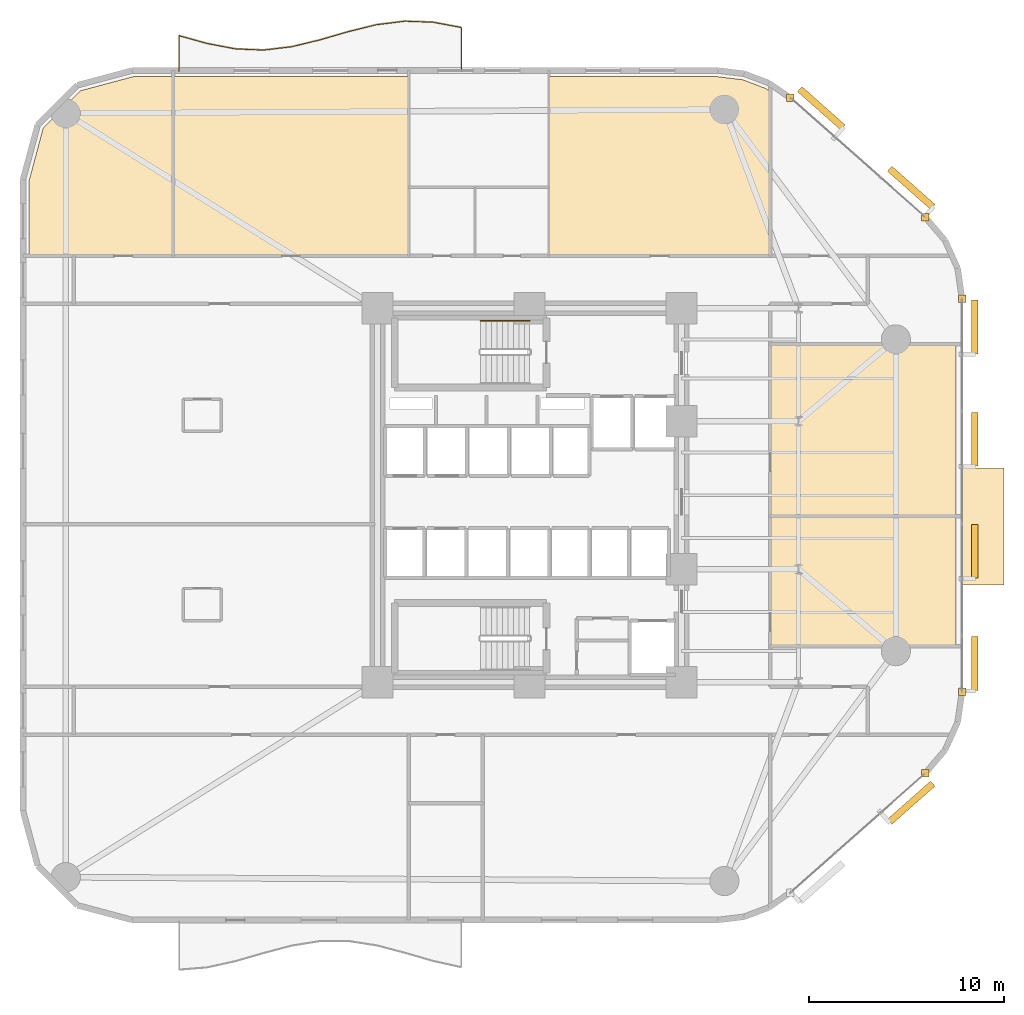
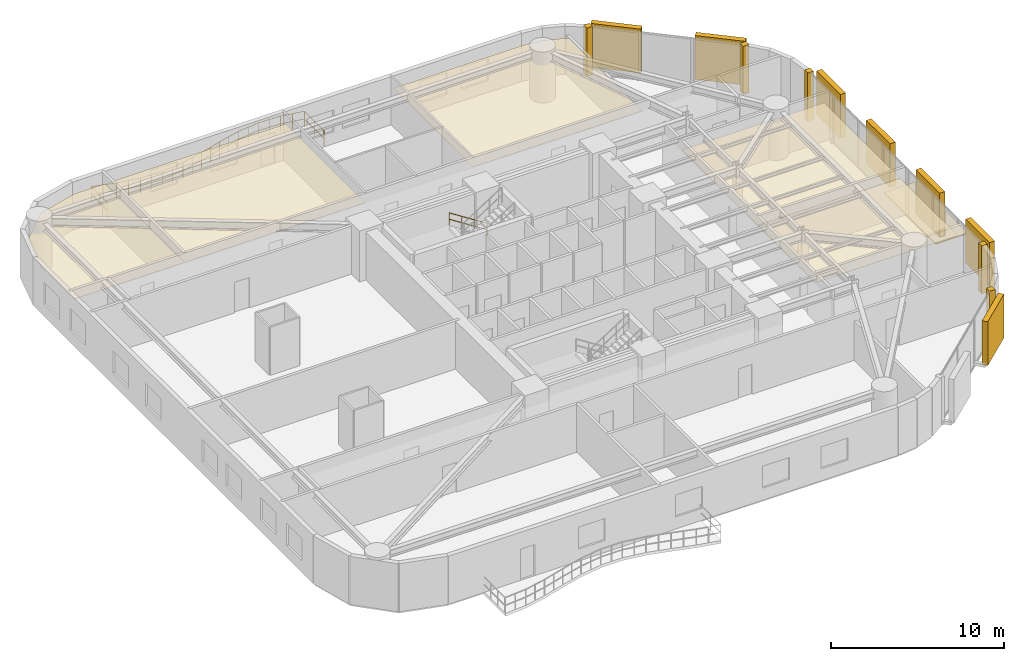
# One storey, part 16 of 16: 11 coverings, 7 shading devices, 2 railings.
"""IFC4 building model written with IfcOpenShell, lengths in metres."""

from ifc_helpers import new_model, si_unit, direction, frame, origin, origin_2d, place, context, subcontext, project, spatial, polyline, rectangle, circle, outline, extrude, material, layer, layer_set, type_object, element, save


model = new_model("IFC4")

# Units and contexts
model_context = context("Model", 3, precision=1e-05, world=origin(), true_north=direction((0.0, 1.0)))
body_context = subcontext(model_context, "Body", "Model", "MODEL_VIEW")
ifc_project = project(units=[si_unit("LENGTHUNIT", "METRE"), si_unit("AREAUNIT", "SQUARE_METRE"), si_unit("VOLUMEUNIT", "CUBIC_METRE"), si_unit("PLANEANGLEUNIT", "RADIAN"), si_unit("MASSUNIT", "GRAM", prefix="KILO")], contexts=[model_context])

# Site, building, storey
site_placement = place(None, origin())
site = spatial("IfcSite", under=ifc_project, at=site_placement, CompositionType="ELEMENT")
building_placement = place(site_placement, origin())
building = spatial("IfcBuilding", under=site, at=building_placement, Name="An Khanh Terracotta Commons", CompositionType="ELEMENT")
storey_placement = place(building_placement, frame((0.0, 0.0, 39.60009765625)))
storey = spatial("IfcBuildingStorey", under=building, at=storey_placement, Name="L10", CompositionType="ELEMENT", Elevation=39.60009765625)

# Coverings
ifc_material_1 = material(Name="Perforated Mineral-Fibre Acoustic Tile")
ifc_layer_1 = layer(ifc_material_1, 0.02001953125, Name="Perforated Mineral-Fibre Acoustic Tile")
ifc_layer_set_1 = layer_set([ifc_layer_1], Name="Perforated Mineral-Fibre Acoustic Tile")
covering_type_1 = type_object("IfcCoveringType", Name="CEIL-ACOUSTIC-18", PredefinedType="CEILING", material=ifc_layer_set_1)
covering_1_placement = place(storey_placement, frame((0.0, 0.0, 2.64990234375)))
element("IfcCovering", 1, at=covering_1_placement, inside=storey, type_object=covering_type_1, Name="L10 Collaborative Study Lounge Ceiling", PredefinedType="CEILING", context=body_context, shape_type="SweptSolid", body=[
    extrude(outline(polyline([(51.280029296875, 16.258056640625), (41.75, 16.258056640625), (41.75, 22.931884765625), (51.280029296875, 22.931884765625), (51.280029296875, 16.258056640625)])), origin(), (0.0, 0.0, 1.0), 0.02001953125),
])
covering_2_placement = place(storey_placement, frame((0.0, 0.0, 2.64990234375)))
element("IfcCovering", 2, at=covering_2_placement, inside=storey, type_object=covering_type_1, Name="L10 Collaborative Study Lounge Ceiling", PredefinedType="CEILING", context=body_context, shape_type="SweptSolid", body=[
    extrude(outline(polyline([(51.280029296875, 22.931884765625), (41.75, 22.931884765625), (41.75, 31.741943359375), (51.280029296875, 31.741943359375), (51.280029296875, 22.931884765625)])), origin(), (0.0, 0.0, 1.0), 0.02001953125),
])
covering_3_placement = place(storey_placement, frame((0.0, 0.0, 2.64990234375)))
element("IfcCovering", 3, at=covering_3_placement, inside=storey, type_object=covering_type_1, Name="L10 Collaborative Study Lounge Ceiling", PredefinedType="CEILING", context=body_context, shape_type="SweptSolid", body=[
    extrude(outline(polyline([(9.0419921875, 45.47998046875), (11.116943359375, 45.47998046875), (11.116943359375, 36.280029296875), (6.0, 36.280029296875), (3.719970703125, 36.280029296875), (3.719970703125, 40.157958984375), (4.43701171875, 42.833984375), (6.365966796875, 44.762939453125), (9.0419921875, 45.47998046875)])), origin(), (0.0, 0.0, 1.0), 0.02001953125),
])
covering_4_placement = place(storey_placement, frame((0.0, 0.0, 2.64990234375)))
element("IfcCovering", 4, at=covering_4_placement, inside=storey, type_object=covering_type_1, Name="L10 Collaborative Study Lounge Ceiling", PredefinedType="CEILING", context=body_context, shape_type="SweptSolid", body=[
    extrude(outline(polyline([(23.199951171875, 45.47998046875), (23.199951171875, 39.800048828125), (23.199951171875, 36.280029296875), (11.116943359375, 36.280029296875), (11.116943359375, 45.47998046875), (23.199951171875, 45.47998046875)])), origin(), (0.0, 0.0, 1.0), 0.02001953125),
])
covering_5_placement = place(storey_placement, frame((0.0, 0.0, 2.64990234375)))
element("IfcCovering", 5, at=covering_5_placement, inside=storey, type_object=covering_type_1, Name="L10 Collaborative Study Lounge Ceiling", PredefinedType="CEILING", context=body_context, shape_type="SweptSolid", body=[
    extrude(outline(polyline([(39.06005859375, 45.47998046875), (40.340087890625, 45.324951171875), (41.529052734375, 44.875), (41.75, 44.721923828125), (41.75, 36.280029296875), (37.5, 36.280029296875), (30.39990234375, 36.280029296875), (30.39990234375, 39.800048828125), (30.39990234375, 45.47998046875), (39.06005859375, 45.47998046875)])), origin(), (0.0, 0.0, 1.0), 0.02001953125),
])
ifc_material_2 = material(Name="Fired Terracotta Rainscreen Cladding", Category="masonry")
ifc_layer_2 = layer(ifc_material_2, 0.080078125, Name="Fired Terracotta Rainscreen Cladding")
ifc_layer_set_2 = layer_set([ifc_layer_2], Name="Fired Terracotta Rainscreen Cladding")
covering_type_2 = type_object("IfcCoveringType", Name="COV-JAMB-TERRA", PredefinedType="CLADDING", material=ifc_layer_set_2)
for number, where, z_axis, x_axis, name in (
    (6, (49.7099609375, 9.72802734375, 0.0), (0.0, 0.0, 1.0), (1.0, 0.0, 0.0), "L10 CW-02 Curtain-Wall Jamb Closure JB"),
    (7, (51.60009765625, 13.923095703125, 0.0), (0.0, 0.0, 1.0), (1.0, 0.0, 0.0), "L10 CW-02 Curtain-Wall Jamb Closure JA"),
    (8, (51.60009765625, 34.076904296875, 0.0), (0.0, 0.0, 1.0), (1.0, 0.0, 0.0), "L10 CW-02 Curtain-Wall Jamb Closure JB"),
    (9, (49.7099609375, 38.27197265625, 0.0), (0.0, 0.0, 1.0), (1.0, 0.0, 0.0), "L10 CW-02 Curtain-Wall Jamb Closure JA"),
    (10, (42.7890625, 44.39404296875, 0.0), (0.0, 0.0, 1.0), (1.0, 0.0, 0.0), "L10 CW-02 Curtain-Wall Jamb Closure JB"),
):
    element("IfcCovering", number, at=place(storey_placement, frame(where, z_axis=z_axis, x_axis=x_axis)), inside=storey, type_object=covering_type_2, Name=name, PredefinedType="CLADDING", context=body_context, shape_type="SweptSolid", body=[
        extrude(rectangle(XDim=0.3798828125, YDim=0.3798828125, at=origin_2d()), origin(), (0.0, 0.0, 1.0), 3.39990234375),
    ])
ifc_material_3 = material(Name="Planted Garden Waterproofing Membrane")
ifc_layer_3 = layer(ifc_material_3, 0.080078125, Name="Planted Garden Waterproofing Membrane")
ifc_layer_set_3 = layer_set([ifc_layer_3], Name="Planted Garden Waterproofing Membrane")
covering_type_3 = type_object("IfcCoveringType", Name="COV-ROOFING-GREEN", PredefinedType="ROOFING", material=ifc_layer_set_3)
covering_6_placement = place(storey_placement, origin())
element("IfcCovering", 11, at=covering_6_placement, inside=storey, type_object=covering_type_3, Name="L10 Shifted Box Roof Waterproofing (L09)", PredefinedType="ROOFING", context=body_context, shape_type="SweptSolid", body=[
    extrude(outline(polyline([(51.60009765625, 19.39990234375), (53.75, 19.39990234375), (53.75, 25.39990234375), (51.60009765625, 25.39990234375), (51.60009765625, 19.39990234375)])), origin(), (0.0, 0.0, 1.0), 0.059814453125),
])

# Railings
ifc_material_4 = material(Name="Brushed Stainless Steel 316", Category="steel")
railing_type_1 = type_object("IfcRailingType", Name="RAIL-BALUSTRADE-1100", PredefinedType="BALUSTRADE", material=ifc_material_4)
railing_1_placement = place(storey_placement, frame((25.89990234375, 45.739990234375, 0.0)))
element("IfcRailing", 12, at=railing_1_placement, inside=storey, type_object=railing_type_1, Name="L10 N Wave Balcony Guard Balustrade", PredefinedType="BALUSTRADE", context=body_context, shape_type="SweptSolid", body=[
    extrude(circle(Radius=0.02392578125, at=origin_2d()), frame((0.0, 0.0, 1.076171875), z_axis=(0.0, 1.0, 0.0), x_axis=(-1.0, 0.0, 0.0)), (0.0, 0.0, 1.0), 2.26708984375),
    extrude(circle(Radius=0.02392578125, at=origin_2d()), frame((0.0, 0.0, 0.52587890625), z_axis=(0.0, 1.0, 0.0), x_axis=(-1.0, 0.0, 0.0)), (0.0, 0.0, 1.0), 2.26708984375),
    extrude(circle(Radius=0.02392578125, at=origin_2d()), frame((0.0, 2.26708984375, 1.076171875), z_axis=(-0.983098191406, 0.183079070499, 0.0), x_axis=(-0.183079070499, -0.983098191406, 0.0)), (0.0, 0.0, 1.0), 1.474853515625),
    extrude(circle(Radius=0.02392578125, at=origin_2d()), frame((0.0, 2.26708984375, 0.52587890625), z_axis=(-0.983098191406, 0.183079070499, 0.0), x_axis=(-0.183079070499, -0.983098191406, 0.0)), (0.0, 0.0, 1.0), 1.474853515625),
    extrude(circle(Radius=0.02392578125, at=origin_2d()), frame((-1.449951171875, 2.537109375, 1.076171875), z_axis=(-0.999308364687, 0.037185914901, 0.0), x_axis=(-0.037185914901, -0.999308364687, 0.0)), (0.0, 0.0, 1.0), 1.450927734375),
    extrude(circle(Radius=0.02392578125, at=origin_2d()), frame((-1.449951171875, 2.537109375, 0.52587890625), z_axis=(-0.999308364687, 0.037185914901, 0.0), x_axis=(-0.037185914901, -0.999308364687, 0.0)), (0.0, 0.0, 1.0), 1.450927734375),
    extrude(circle(Radius=0.02392578125, at=origin_2d()), frame((-2.89990234375, 2.591064453125, 1.076171875), z_axis=(-0.99236758901, -0.123314915085, 0.0), x_axis=(0.123314915085, -0.99236758901, 0.0)), (0.0, 0.0, 1.0), 1.461181640625),
    extrude(circle(Radius=0.02392578125, at=origin_2d()), frame((-2.89990234375, 2.591064453125, 0.52587890625), z_axis=(-0.99236758901, -0.123314915085, 0.0), x_axis=(0.123314915085, -0.99236758901, 0.0)), (0.0, 0.0, 1.0), 1.461181640625),
    extrude(circle(Radius=0.02392578125, at=origin_2d()), frame((-4.349853515625, 2.410888671875, 1.076171875), z_axis=(-0.971011376095, -0.239033276958, 0.0), x_axis=(0.239033276958, -0.971011376095, 0.0)), (0.0, 0.0, 1.0), 1.4931640625),
    extrude(circle(Radius=0.02392578125, at=origin_2d()), frame((-4.349853515625, 2.410888671875, 0.52587890625), z_axis=(-0.971011376095, -0.239033276958, 0.0), x_axis=(0.239033276958, -0.971011376095, 0.0)), (0.0, 0.0, 1.0), 1.4931640625),
    extrude(circle(Radius=0.02392578125, at=origin_2d()), frame((-5.7998046875, 2.053955078125, 1.076171875), z_axis=(-0.960195296604, -0.27932954083, 0.0), x_axis=(0.27932954083, -0.960195296604, 0.0)), (0.0, 0.0, 1.0), 1.51025390625),
    extrude(circle(Radius=0.02392578125, at=origin_2d()), frame((-5.7998046875, 2.053955078125, 0.52587890625), z_axis=(-0.960195296604, -0.27932954083, 0.0), x_axis=(0.27932954083, -0.960195296604, 0.0)), (0.0, 0.0, 1.0), 1.51025390625),
    extrude(circle(Radius=0.02392578125, at=origin_2d()), frame((-7.25, 1.632080078125, 1.076171875), z_axis=(-0.971766032005, -0.235946559716, 0.0), x_axis=(0.235946559716, -0.971766032005, 0.0)), (0.0, 0.0, 1.0), 1.4921875),
    extrude(circle(Radius=0.02392578125, at=origin_2d()), frame((-7.25, 1.632080078125, 0.52587890625), z_axis=(-0.971766032005, -0.235946559716, 0.0), x_axis=(0.235946559716, -0.971766032005, 0.0)), (0.0, 0.0, 1.0), 1.4921875),
    extrude(circle(Radius=0.02392578125, at=origin_2d()), frame((-8.699951171875, 1.280029296875, 1.076171875), z_axis=(-0.992949436845, -0.118538668248, 0.0), x_axis=(0.118538668248, -0.992949436845, 0.0)), (0.0, 0.0, 1.0), 1.460205078125),
    extrude(circle(Radius=0.02392578125, at=origin_2d()), frame((-8.699951171875, 1.280029296875, 0.52587890625), z_axis=(-0.992949436845, -0.118538668248, 0.0), x_axis=(0.118538668248, -0.992949436845, 0.0)), (0.0, 0.0, 1.0), 1.460205078125),
    extrude(circle(Radius=0.02392578125, at=origin_2d()), frame((-10.14990234375, 1.10693359375, 1.076171875), z_axis=(-0.999086695694, 0.042729082456, 0.0), x_axis=(-0.042729082456, -0.999086695694, 0.0)), (0.0, 0.0, 1.0), 1.451171875),
    extrude(circle(Radius=0.02392578125, at=origin_2d()), frame((-10.14990234375, 1.10693359375, 0.52587890625), z_axis=(-0.999086695694, 0.042729082456, 0.0), x_axis=(-0.042729082456, -0.999086695694, 0.0)), (0.0, 0.0, 1.0), 1.451171875),
    extrude(circle(Radius=0.02392578125, at=origin_2d()), frame((-11.599853515625, 1.1689453125, 1.076171875), z_axis=(-0.982224024543, 0.187712454598, 0.0), x_axis=(-0.187712454598, -0.982224024543, 0.0)), (0.0, 0.0, 1.0), 1.47607421875),
    extrude(circle(Radius=0.02392578125, at=origin_2d()), frame((-11.599853515625, 1.1689453125, 0.52587890625), z_axis=(-0.982224024543, 0.187712454598, 0.0), x_axis=(-0.187712454598, -0.982224024543, 0.0)), (0.0, 0.0, 1.0), 1.47607421875),
    extrude(circle(Radius=0.02392578125, at=origin_2d()), frame((-13.0498046875, 1.446044921875, 1.076171875), z_axis=(-0.963308509782, 0.268396562911, 0.0), x_axis=(-0.268396562911, -0.963308509782, 0.0)), (0.0, 0.0, 1.0), 1.50537109375),
    extrude(circle(Radius=0.02392578125, at=origin_2d()), frame((-13.0498046875, 1.446044921875, 0.52587890625), z_axis=(-0.963308509782, 0.268396562911, 0.0), x_axis=(-0.268396562911, -0.963308509782, 0.0)), (0.0, 0.0, 1.0), 1.50537109375),
    extrude(circle(Radius=0.02392578125, at=origin_2d()), frame((-14.5, 1.85009765625, 1.076171875), z_axis=(0.0, -1.0, 0.0), x_axis=(1.0, 0.0, 0.0)), (0.0, 0.0, 1.0), 1.85009765625),
    extrude(circle(Radius=0.02392578125, at=origin_2d()), frame((-14.5, 1.85009765625, 0.52587890625), z_axis=(0.0, -1.0, 0.0), x_axis=(1.0, 0.0, 0.0)), (0.0, 0.0, 1.0), 1.85009765625),
    extrude(circle(Radius=0.02099609375, at=origin_2d()), origin(), (0.0, 0.0, 1.0), 1.052001953125),
    extrude(circle(Radius=0.02099609375, at=origin_2d()), frame((0.0, 1.133544921875, 0.0)), (0.0, 0.0, 1.0), 1.052001953125),
    extrude(circle(Radius=0.02099609375, at=origin_2d()), frame((0.0, 2.26708984375, 0.0)), (0.0, 0.0, 1.0), 1.052001953125),
    extrude(circle(Radius=0.02099609375, at=origin_2d()), frame((-0.72509765625, 2.402099609375, 0.0)), (0.0, 0.0, 1.0), 1.052001953125),
    extrude(circle(Radius=0.02099609375, at=origin_2d()), frame((-1.449951171875, 2.537109375, 0.0)), (0.0, 0.0, 1.0), 1.052001953125),
    extrude(circle(Radius=0.02099609375, at=origin_2d()), frame((-2.1748046875, 2.56396484375, 0.0)), (0.0, 0.0, 1.0), 1.052001953125),
    extrude(circle(Radius=0.02099609375, at=origin_2d()), frame((-2.89990234375, 2.591064453125, 0.0)), (0.0, 0.0, 1.0), 1.052001953125),
    extrude(circle(Radius=0.02099609375, at=origin_2d()), frame((-3.625, 2.5009765625, 0.0)), (0.0, 0.0, 1.0), 1.052001953125),
    extrude(circle(Radius=0.02099609375, at=origin_2d()), frame((-4.349853515625, 2.410888671875, 0.0)), (0.0, 0.0, 1.0), 1.052001953125),
    extrude(circle(Radius=0.02099609375, at=origin_2d()), frame((-5.07470703125, 2.232421875, 0.0)), (0.0, 0.0, 1.0), 1.052001953125),
    extrude(circle(Radius=0.02099609375, at=origin_2d()), frame((-5.7998046875, 2.053955078125, 0.0)), (0.0, 0.0, 1.0), 1.052001953125),
    extrude(circle(Radius=0.02099609375, at=origin_2d()), frame((-6.52490234375, 1.843017578125, 0.0)), (0.0, 0.0, 1.0), 1.052001953125),
    extrude(circle(Radius=0.02099609375, at=origin_2d()), frame((-7.25, 1.632080078125, 0.0)), (0.0, 0.0, 1.0), 1.052001953125),
    extrude(circle(Radius=0.02099609375, at=origin_2d()), frame((-7.97509765625, 1.4560546875, 0.0)), (0.0, 0.0, 1.0), 1.052001953125),
    extrude(circle(Radius=0.02099609375, at=origin_2d()), frame((-8.699951171875, 1.280029296875, 0.0)), (0.0, 0.0, 1.0), 1.052001953125),
    extrude(circle(Radius=0.02099609375, at=origin_2d()), frame((-9.4248046875, 1.193359375, 0.0)), (0.0, 0.0, 1.0), 1.052001953125),
    extrude(circle(Radius=0.02099609375, at=origin_2d()), frame((-10.14990234375, 1.10693359375, 0.0)), (0.0, 0.0, 1.0), 1.052001953125),
    extrude(circle(Radius=0.02099609375, at=origin_2d()), frame((-10.875, 1.137939453125, 0.0)), (0.0, 0.0, 1.0), 1.052001953125),
    extrude(circle(Radius=0.02099609375, at=origin_2d()), frame((-11.599853515625, 1.1689453125, 0.0)), (0.0, 0.0, 1.0), 1.052001953125),
    extrude(circle(Radius=0.02099609375, at=origin_2d()), frame((-12.32470703125, 1.3076171875, 0.0)), (0.0, 0.0, 1.0), 1.052001953125),
    extrude(circle(Radius=0.02099609375, at=origin_2d()), frame((-13.0498046875, 1.446044921875, 0.0)), (0.0, 0.0, 1.0), 1.052001953125),
    extrude(circle(Radius=0.02099609375, at=origin_2d()), frame((-13.77490234375, 1.64794921875, 0.0)), (0.0, 0.0, 1.0), 1.052001953125),
    extrude(circle(Radius=0.02099609375, at=origin_2d()), frame((-14.5, 1.85009765625, 0.0)), (0.0, 0.0, 1.0), 1.052001953125),
    extrude(circle(Radius=0.02099609375, at=origin_2d()), frame((-14.5, 0.925048828125, 0.0)), (0.0, 0.0, 1.0), 1.052001953125),
    extrude(circle(Radius=0.02099609375, at=origin_2d()), frame((-14.5, 0.0, 0.0)), (0.0, 0.0, 1.0), 1.052001953125),
])
railing_type_2 = type_object("IfcRailingType", Name="RAIL-HANDRAIL-900", PredefinedType="HANDRAIL", material=ifc_material_4)
railing_2_placement = place(storey_placement, frame((29.409912109375, 32.949951171875, 0.179931640625)))
element("IfcRailing", 13, at=railing_2_placement, inside=storey, type_object=railing_type_2, Name="L10 ST-01 stair handrail 1", PredefinedType="HANDRAIL", context=body_context, shape_type="SweptSolid", body=[
    extrude(circle(Radius=0.02392578125, at=origin_2d()), frame((0.0, 0.0, 0.8759765625), z_axis=(-0.841199657755, 0.0, 0.540724639528), x_axis=(0.0, -1.0, 0.0)), (0.0, 0.0, 1.0), 2.995849609375),
    extrude(circle(Radius=0.02392578125, at=origin_2d()), frame((0.0, 0.0, 0.42578125), z_axis=(-0.841199657755, 0.0, 0.540724639528), x_axis=(0.0, -1.0, 0.0)), (0.0, 0.0, 1.0), 2.995849609375),
    extrude(circle(Radius=0.02099609375, at=origin_2d()), origin(), (0.0, 0.0, 1.0), 0.851806640625),
    extrude(circle(Radius=0.02099609375, at=origin_2d()), frame((-0.840087890625, 0.0, 0.5400390625)), (0.0, 0.0, 1.0), 0.851806640625),
    extrude(circle(Radius=0.02099609375, at=origin_2d()), frame((-1.679931640625, 0.0, 1.079833984375)), (0.0, 0.0, 1.0), 0.851806640625),
    extrude(circle(Radius=0.02099609375, at=origin_2d()), frame((-2.52001953125, 0.0, 1.619873046875)), (0.0, 0.0, 1.0), 0.851806640625),
])

# Shading devices
ifc_material_5 = material(Name="Extruded Fired Terracotta", Category="masonry")
shading_device_type = type_object("IfcShadingDeviceType", Name="Terracotta Baguette Screen Assembly", PredefinedType="USERDEFINED", material=ifc_material_5)
shading_device_placement = place(storey_placement, frame((48.987060546875, 8.220947265625, 0.14990234375), z_axis=(0.0, 0.0, 1.0), x_axis=(0.749019284633, 0.662548195415, 0.0)))
element("IfcShadingDevice", 14, at=shading_device_placement, inside=storey, type_object=shading_device_type, Name="L10 Terracotta Baguette Screen 3", ObjectType="BAGUETTE", PredefinedType="USERDEFINED", context=body_context, shape_type="SweptSolid", body=[
    extrude(rectangle(XDim=2.9599609375, YDim=0.35009765625, at=origin_2d()), origin(), (0.0, 0.0, 1.0), 3.10009765625),
])
for number, where, z_axis, x_axis, name in (
    (15, (52.25, 15.363037109375, 0.14990234375), (0.0, 0.0, 1.0), (0.0, 1.0, 0.0), "L10 Terracotta Baguette Screen 1"),
    (16, (52.25, 21.12109375, 0.14990234375), (0.0, 0.0, 1.0), (0.0, 1.0, 0.0), "L10 Terracotta Baguette Screen 3"),
    (17, (52.25, 26.87890625, 0.14990234375), (0.0, 0.0, 1.0), (0.0, 1.0, 0.0), "L10 Terracotta Baguette Screen 5"),
    (18, (52.25, 32.636962890625, 0.14990234375), (0.0, 0.0, 1.0), (0.0, 1.0, 0.0), "L10 Terracotta Baguette Screen 7"),
):
    element("IfcShadingDevice", number, at=place(storey_placement, frame(where, z_axis=z_axis, x_axis=x_axis)), inside=storey, type_object=shading_device_type, Name=name, ObjectType="BAGUETTE", PredefinedType="USERDEFINED", context=body_context, shape_type="SweptSolid", body=[
        extrude(rectangle(XDim=2.759033203125, YDim=0.35009765625, at=origin_2d()), origin(), (0.0, 0.0, 1.0), 3.10009765625),
    ])
for number, where, z_axis, x_axis, name in (
    (19, (48.987060546875, 39.779052734375, 0.14990234375), (0.0, 0.0, 1.0), (-0.749019284633, 0.662548195415, 0.0), "L10 Terracotta Baguette Screen 1"),
    (20, (44.373046875, 43.861083984375, 0.14990234375), (0.0, 0.0, 1.0), (-0.749019284633, 0.662548195415, 0.0), "L10 Terracotta Baguette Screen 3"),
):
    element("IfcShadingDevice", number, at=place(storey_placement, frame(where, z_axis=z_axis, x_axis=x_axis)), inside=storey, type_object=shading_device_type, Name=name, ObjectType="BAGUETTE", PredefinedType="USERDEFINED", context=body_context, shape_type="SweptSolid", body=[
        extrude(rectangle(XDim=2.9599609375, YDim=0.35009765625, at=origin_2d()), origin(), (0.0, 0.0, 1.0), 3.10009765625),
    ])

save(model, "model.ifc")
